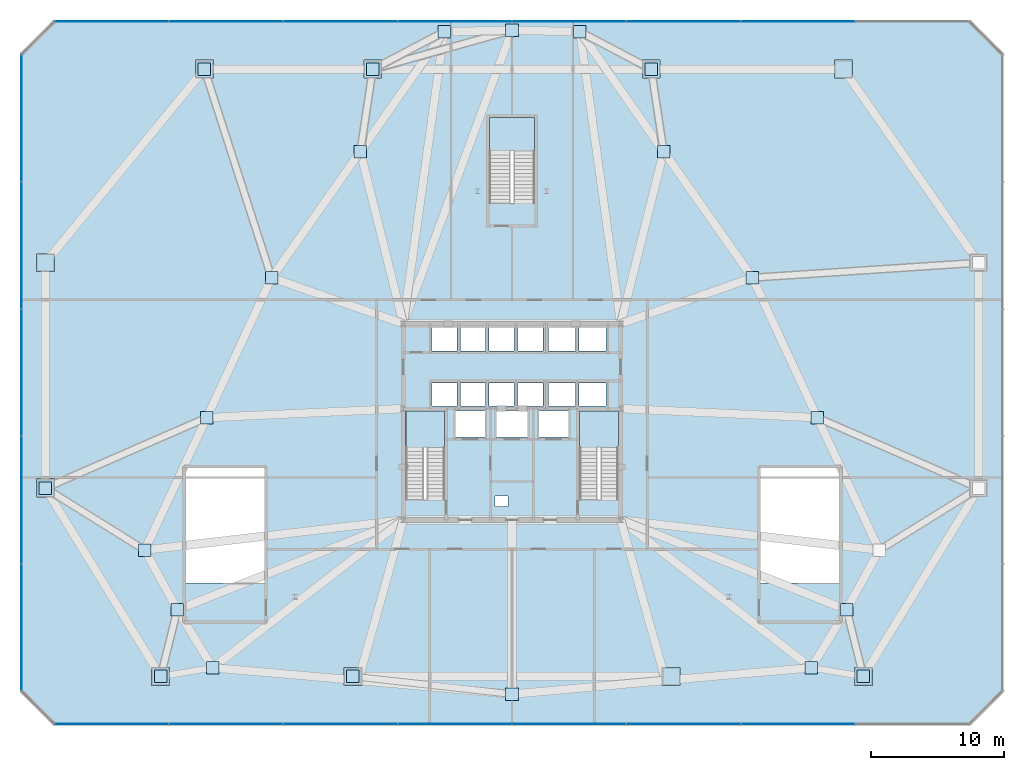
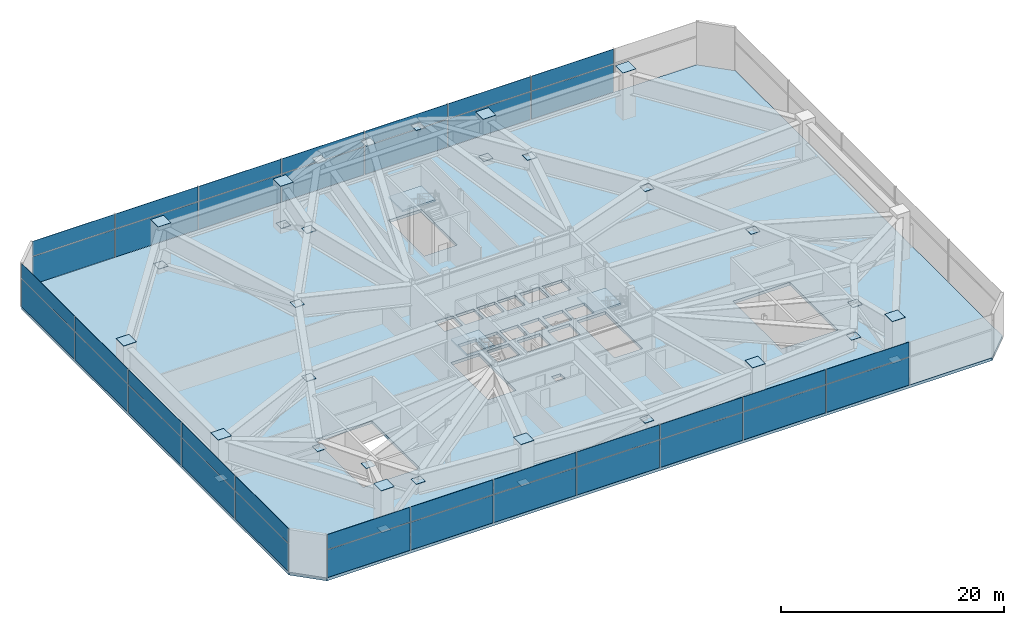
# One storey, part 20 of 29: 70 plates, 4 slabs, 6 elements without a shape of their own.
"""IFC4 building model written with IfcOpenShell, lengths in metres."""

from ifc_helpers import new_model, si_unit, direction, frame, origin, origin_2d, place, context, subcontext, project, spatial, polyline, rectangle, outline, extrude, source, transform, mapped, material, layer, layer_set, type_object, type_shapes, element, aggregate, save


model = new_model("IFC4")

# Units and contexts
model_context = context("Model", 3, precision=1e-05, world=origin(), true_north=direction((0.0, 1.0)))
body_context = subcontext(model_context, "Body", "Model", "MODEL_VIEW")
ifc_project = project(units=[si_unit("LENGTHUNIT", "METRE"), si_unit("AREAUNIT", "SQUARE_METRE"), si_unit("VOLUMEUNIT", "CUBIC_METRE"), si_unit("PLANEANGLEUNIT", "RADIAN"), si_unit("MASSUNIT", "GRAM", prefix="KILO")], contexts=[model_context])

# Site, building, storey
site_placement = place(None, origin())
site = spatial("IfcSite", under=ifc_project, at=site_placement, CompositionType="ELEMENT")
building_placement = place(site_placement, origin())
building = spatial("IfcBuilding", under=site, at=building_placement, Name="Varakhsha Concourse Tower", CompositionType="ELEMENT")
storey_placement = place(building_placement, frame((0.0, 0.0, 22.0)))
storey = spatial("IfcBuildingStorey", under=building, at=storey_placement, Name="L05", CompositionType="ELEMENT", Elevation=22.0)

# Slab
ifc_material_1 = material(Name="Concrete fc 45 MPa", Category="concrete")
ifc_layer_1 = layer(ifc_material_1, 0.320068359375, Name="SL-FLR-320")
ifc_layer_set_1 = layer_set([ifc_layer_1], Name="Concrete fc 45 MPa")
slab_type_1 = type_object("IfcSlabType", Name="SL-FLR-320", PredefinedType="FLOOR", material=ifc_layer_set_1)
slab_1_placement = place(storey_placement, frame((0.0, 0.0, -0.320068359375)))
element("IfcSlab", 1, at=slab_1_placement, inside=storey, type_object=slab_type_1, Name="L05 Composite Structural Slab", PredefinedType="FLOOR", context=body_context, shape_type="SweptSolid", body=[
    extrude(outline(polyline([(5.5, 1.0), (74.5, 1.0), (77.0, 3.5), (77.0, 51.5), (74.5, 54.0), (5.5, 54.0), (3.0, 51.5), (3.0, 3.5), (5.5, 1.0)]), holes=[polyline([(34.919921875, 17.93994140625), (34.919921875, 24.6298828125), (32.0, 24.6298828125), (32.0, 17.93994140625), (34.919921875, 17.93994140625)]), polyline([(48.02001953125, 17.93994140625), (48.02001953125, 24.6298828125), (45.10009765625, 24.6298828125), (45.10009765625, 17.93994140625), (48.02001953125, 17.93994140625)]), polyline([(21.320068359375, 11.659912109375), (21.320068359375, 20.300048828125), (15.39990234375, 20.300048828125), (15.39990234375, 11.659912109375), (21.320068359375, 11.659912109375)]), polyline([(64.679931640625, 11.659912109375), (64.679931640625, 20.300048828125), (58.760009765625, 20.300048828125), (58.760009765625, 11.659912109375), (64.679931640625, 11.659912109375)]), polyline([(41.699951171875, 40.300048828125), (41.699951171875, 46.75), (38.300048828125, 46.75), (38.300048828125, 40.300048828125), (41.699951171875, 40.300048828125)]), polyline([(33.9599609375, 29.159912109375), (35.840087890625, 29.159912109375), (35.840087890625, 30.89990234375), (33.9599609375, 30.89990234375), (33.9599609375, 29.159912109375)]), polyline([(36.1201171875, 29.159912109375), (38.0, 29.159912109375), (38.0, 30.89990234375), (36.1201171875, 30.89990234375), (36.1201171875, 29.159912109375)]), polyline([(38.280029296875, 29.159912109375), (40.159912109375, 29.159912109375), (40.159912109375, 30.89990234375), (38.280029296875, 30.89990234375), (38.280029296875, 29.159912109375)]), polyline([(40.43994140625, 29.159912109375), (42.320068359375, 29.159912109375), (42.320068359375, 30.89990234375), (40.43994140625, 30.89990234375), (40.43994140625, 29.159912109375)]), polyline([(33.9599609375, 25.0), (35.840087890625, 25.0), (35.840087890625, 26.739990234375), (33.9599609375, 26.739990234375), (33.9599609375, 25.0)]), polyline([(36.1201171875, 25.0), (38.0, 25.0), (38.0, 26.739990234375), (36.1201171875, 26.739990234375), (36.1201171875, 25.0)]), polyline([(38.280029296875, 25.0), (40.159912109375, 25.0), (40.159912109375, 26.739990234375), (38.280029296875, 26.739990234375), (38.280029296875, 25.0)]), polyline([(40.43994140625, 25.0), (42.320068359375, 25.0), (42.320068359375, 26.739990234375), (40.43994140625, 26.739990234375), (40.43994140625, 25.0)]), polyline([(42.739990234375, 29.159912109375), (44.780029296875, 29.159912109375), (44.780029296875, 30.89990234375), (42.739990234375, 30.89990234375), (42.739990234375, 29.159912109375)]), polyline([(45.06005859375, 29.159912109375), (47.10009765625, 29.159912109375), (47.10009765625, 30.89990234375), (45.06005859375, 30.89990234375), (45.06005859375, 29.159912109375)]), polyline([(42.739990234375, 25.0), (44.780029296875, 25.0), (44.780029296875, 26.739990234375), (42.739990234375, 26.739990234375), (42.739990234375, 25.0)]), polyline([(45.06005859375, 25.0), (47.10009765625, 25.0), (47.10009765625, 26.739990234375), (45.06005859375, 26.739990234375), (45.06005859375, 25.0)]), polyline([(35.7099609375, 22.639892578125), (37.989990234375, 22.639892578125), (37.989990234375, 24.60009765625), (35.7099609375, 24.60009765625), (35.7099609375, 22.639892578125)]), polyline([(42.010009765625, 22.639892578125), (44.2900390625, 22.639892578125), (44.2900390625, 24.60009765625), (42.010009765625, 24.60009765625), (42.010009765625, 22.639892578125)]), polyline([(38.81005859375, 22.639892578125), (41.18994140625, 22.639892578125), (41.18994140625, 24.60009765625), (38.81005859375, 24.60009765625), (38.81005859375, 22.639892578125)]), polyline([(38.719970703125, 17.39990234375), (39.679931640625, 17.39990234375), (39.679931640625, 18.199951171875), (38.719970703125, 18.199951171875), (38.719970703125, 17.39990234375)])]), origin(), (0.0, 0.0, 1.0), 0.320068359375),
])

# Stair, slab
stair_type_1 = type_object("IfcStairType", Name="ST-DOGLEG-1360", PredefinedType="HALF_TURN_STAIR", material=ifc_material_1)
stair_1_placement = place(storey_placement, origin())
stair_1 = element("IfcStair", 2, at=stair_1_placement, inside=storey, type_object=stair_type_1, Name="L05 Protected Exit Stair ST1", PredefinedType="HALF_TURN_STAIR")
ifc_layer_2 = layer(ifc_material_1, 0.199951171875, Name="SL-LAND-200")
ifc_layer_set_2 = layer_set([ifc_layer_2], Name="Concrete fc 45 MPa")
slab_type_2 = type_object("IfcSlabType", Name="SL-LAND-200", PredefinedType="LANDING", material=ifc_layer_set_2)
slab_2_placement = place(storey_placement, frame((0.0, 0.0, 2.39990234375)))
slab_2 = element("IfcSlab", 3, at=slab_2_placement, type_object=slab_type_2, Name="ST1 landing 1", PredefinedType="LANDING", context=body_context, shape_type="SweptSolid", body=[
    extrude(outline(polyline([(34.919921875, 21.860107421875), (34.919921875, 24.6298828125), (32.0, 24.6298828125), (32.0, 21.860107421875), (34.919921875, 21.860107421875)])), origin(), (0.0, 0.0, 1.0), 0.2001953125),
])
aggregate(stair_1, [slab_2])

stair_2_placement = place(storey_placement, origin())
stair_2 = element("IfcStair", 4, at=stair_2_placement, inside=storey, type_object=stair_type_1, Name="L05 Protected Exit Stair ST2", PredefinedType="HALF_TURN_STAIR")
slab_3_placement = place(storey_placement, frame((0.0, 0.0, 2.39990234375)))
slab_3 = element("IfcSlab", 5, at=slab_3_placement, type_object=slab_type_2, Name="ST2 landing 1", PredefinedType="LANDING", context=body_context, shape_type="SweptSolid", body=[
    extrude(outline(polyline([(48.02001953125, 21.860107421875), (48.02001953125, 24.6298828125), (45.10009765625, 24.6298828125), (45.10009765625, 21.860107421875), (48.02001953125, 21.860107421875)])), origin(), (0.0, 0.0, 1.0), 0.2001953125),
])
aggregate(stair_2, [slab_3])

stair_type_2 = type_object("IfcStairType", Name="ST-DOGLEG-1600", PredefinedType="HALF_TURN_STAIR", material=ifc_material_1)
stair_3_placement = place(storey_placement, origin())
stair_3 = element("IfcStair", 6, at=stair_3_placement, inside=storey, type_object=stair_type_2, Name="L05 Protected Exit Stair ST5", PredefinedType="HALF_TURN_STAIR")
slab_4_placement = place(storey_placement, frame((0.0, 0.0, 2.39990234375)))
slab_4 = element("IfcSlab", 7, at=slab_4_placement, type_object=slab_type_2, Name="ST5 landing 1", PredefinedType="LANDING", context=body_context, shape_type="SweptSolid", body=[
    extrude(outline(polyline([(41.699951171875, 44.219970703125), (41.699951171875, 46.75), (38.300048828125, 46.75), (38.300048828125, 44.219970703125), (41.699951171875, 44.219970703125)])), origin(), (0.0, 0.0, 1.0), 0.2001953125),
])
aggregate(stair_3, [slab_4])

# Plates
ifc_material_2 = material(Name="Structural Steel ASTM A572 Grade 50", Category="steel")
ifc_layer_3 = layer(ifc_material_2, 0.034912109375, Name="PL-ENDCAP-1350")
ifc_layer_set_3 = layer_set([ifc_layer_3], Name="Structural Steel ASTM A572 Grade 50")
plate_type_1 = type_object("IfcPlateType", Name="PL-ENDCAP-1350", PredefinedType="USERDEFINED", material=ifc_layer_set_3)
shared_shape_1 = source(origin(), body_context, "Body", "SweptSolid", [
    extrude(rectangle(XDim=1.35009765625, YDim=1.35009765625, at=origin_2d()), origin(), (0.0, 0.0, 1.0), 0.034912109375),
])
type_shapes(plate_type_1, [shared_shape_1])
for number, where, z_axis, x_axis, name in (
    (8, (13.5, 4.60009765625, 5.1826171875), (0.0, 0.0, 1.0), (1.0, 0.0, 0.0), "Hollow Section End Cap EP-PC-S1-TOP"),
    (9, (28.0, 4.60009765625, 5.1826171875), (0.0, 0.0, 1.0), (1.0, 0.0, 0.0), "Hollow Section End Cap EP-PC-S2-TOP"),
    (10, (52.0, 4.60009765625, 5.1826171875), (0.0, 0.0, 1.0), (1.0, 0.0, 0.0), "Hollow Section End Cap EP-PC-S3-TOP"),
    (11, (66.5, 4.60009765625, 5.1826171875), (0.0, 0.0, 1.0), (1.0, 0.0, 0.0), "Hollow Section End Cap EP-PC-S4-TOP"),
    (12, (4.800048828125, 18.800048828125, 5.1826171875), (0.0, 0.0, 1.0), (1.0, 0.0, 0.0), "Hollow Section End Cap EP-PC-W1-TOP"),
    (13, (4.800048828125, 35.800048828125, 5.1826171875), (0.0, 0.0, 1.0), (1.0, 0.0, 0.0), "Hollow Section End Cap EP-PC-W2-TOP"),
    (14, (16.800048828125, 50.39990234375, 5.1826171875), (0.0, 0.0, 1.0), (1.0, 0.0, 0.0), "Hollow Section End Cap EP-PC-N1-TOP"),
    (15, (29.5, 50.39990234375, 5.1826171875), (0.0, 0.0, 1.0), (1.0, 0.0, 0.0), "Hollow Section End Cap EP-PC-N2-TOP"),
    (16, (50.5, 50.39990234375, 5.1826171875), (0.0, 0.0, 1.0), (1.0, 0.0, 0.0), "Hollow Section End Cap EP-PC-N3-TOP"),
    (17, (65.0, 50.39990234375, 5.1826171875), (0.0, 0.0, 1.0), (1.0, 0.0, 0.0), "Hollow Section End Cap EP-PC-N4-TOP"),
):
    element("IfcPlate", number, at=place(storey_placement, frame(where, z_axis=z_axis, x_axis=x_axis)), inside=storey, type_object=plate_type_1, Name=name, ObjectType="END PLATE", PredefinedType="USERDEFINED", context=body_context, shape_type="MappedRepresentation", body=[
        mapped(shared_shape_1, transform((0.0, 0.0, 0.0), scale=1.0)),
    ])
ifc_layer_4 = layer(ifc_material_2, 0.030029296875, Name="PL-ENDCAP-950")
ifc_layer_set_4 = layer_set([ifc_layer_4], Name="Structural Steel ASTM A572 Grade 50")
plate_type_2 = type_object("IfcPlateType", Name="PL-ENDCAP-950", PredefinedType="USERDEFINED", material=ifc_layer_set_4)
shared_shape_2 = source(origin(), body_context, "Body", "SweptSolid", [
    extrude(rectangle(XDim=0.949951171875, YDim=0.949951171875, at=origin_2d()), origin(), (0.0, 0.0, 1.0), 0.030029296875),
])
type_shapes(plate_type_2, [shared_shape_2])
for number, where, z_axis, x_axis, name in (
    (18, (45.1240234375, 53.223388671875, 3.93994140625), (0.0, 0.0, 1.0), (1.0, 0.0, 0.0), "Hollow Section End Cap GP-L05-01"),
    (19, (40.0, 53.340087890625, 3.93994140625), (0.0, 0.0, 1.0), (1.0, 0.0, 0.0), "Hollow Section End Cap GP-L05-02"),
    (20, (34.8759765625, 53.223388671875, 3.93994140625), (0.0, 0.0, 1.0), (1.0, 0.0, 0.0), "Hollow Section End Cap GP-L05-03"),
    (21, (28.55859375, 44.183837890625, 3.93994140625), (0.0, 0.0, 1.0), (1.0, 0.0, 0.0), "Hollow Section End Cap GP-L05-04"),
    (22, (21.865478515625, 34.669921875, 3.93994140625), (0.0, 0.0, 1.0), (1.0, 0.0, 0.0), "Hollow Section End Cap GP-L05-05"),
    (23, (16.972900390625, 24.116455078125, 3.93994140625), (0.0, 0.0, 1.0), (1.0, 0.0, 0.0), "Hollow Section End Cap GP-L05-06"),
    (24, (12.302734375, 14.125732421875, 3.93994140625), (0.0, 0.0, 1.0), (1.0, 0.0, 0.0), "Hollow Section End Cap GP-L05-07"),
    (25, (14.763916015625, 9.6298828125, 3.93994140625), (0.0, 0.0, 1.0), (1.0, 0.0, 0.0), "Hollow Section End Cap GP-L05-08"),
    (26, (17.427001953125, 5.250732421875, 3.93994140625), (0.0, 0.0, 1.0), (1.0, 0.0, 0.0), "Hollow Section End Cap GP-L05-09"),
    (27, (40.0, 3.260009765625, 3.93994140625), (0.0, 0.0, 1.0), (1.0, 0.0, 0.0), "Hollow Section End Cap GP-L05-11"),
    (28, (62.572998046875, 5.250732421875, 3.93994140625), (0.0, 0.0, 1.0), (1.0, 0.0, 0.0), "Hollow Section End Cap GP-L05-13"),
    (29, (65.236083984375, 9.6298828125, 3.93994140625), (0.0, 0.0, 1.0), (1.0, 0.0, 0.0), "Hollow Section End Cap GP-L05-14"),
    (30, (63.027099609375, 24.116455078125, 3.93994140625), (0.0, 0.0, 1.0), (1.0, 0.0, 0.0), "Hollow Section End Cap GP-L05-16"),
    (31, (58.134521484375, 34.669921875, 3.93994140625), (0.0, 0.0, 1.0), (1.0, 0.0, 0.0), "Hollow Section End Cap GP-L05-17"),
    (32, (51.44140625, 44.183837890625, 3.93994140625), (0.0, 0.0, 1.0), (1.0, 0.0, 0.0), "Hollow Section End Cap GP-L05-18"),
    (33, (50.5, 50.39990234375, 0.384765625), (0.0, 0.0, 1.0), (1.0, 0.0, 0.0), "Hollow Section End Cap GP-NODE-L05-0001"),
    (34, (29.5, 50.39990234375, 0.384765625), (0.0, 0.0, 1.0), (1.0, 0.0, 0.0), "Hollow Section End Cap GP-NODE-L05-0002"),
    (35, (16.800048828125, 50.39990234375, 0.384765625), (0.0, 0.0, 1.0), (1.0, 0.0, 0.0), "Hollow Section End Cap GP-NODE-L05-0003"),
    (36, (4.800048828125, 18.800048828125, 0.384765625), (0.0, 0.0, 1.0), (1.0, 0.0, 0.0), "Hollow Section End Cap GP-NODE-L05-0004"),
    (37, (13.5, 4.60009765625, 0.384765625), (0.0, 0.0, 1.0), (1.0, 0.0, 0.0), "Hollow Section End Cap GP-NODE-L05-0005"),
    (38, (28.0, 4.60009765625, 0.384765625), (0.0, 0.0, 1.0), (1.0, 0.0, 0.0), "Hollow Section End Cap GP-NODE-L05-0006"),
    (39, (66.5, 4.60009765625, 0.384765625), (0.0, 0.0, 1.0), (1.0, 0.0, 0.0), "Hollow Section End Cap GP-NODE-L05-0007"),
):
    element("IfcPlate", number, at=place(storey_placement, frame(where, z_axis=z_axis, x_axis=x_axis)), inside=storey, type_object=plate_type_2, Name=name, ObjectType="END PLATE", PredefinedType="USERDEFINED", context=body_context, shape_type="MappedRepresentation", body=[
        mapped(shared_shape_2, transform((0.0, 0.0, 0.0), scale=1.0)),
    ])

# Curtain wall, plates
ifc_material_3 = material(Name="Anodised Bronze Architectural Aluminium AA 6063-T6", Category="aluminium")
ifc_layer_5 = layer(ifc_material_3, 0.260009765625, Name="CW-SYS-06")
ifc_layer_set_5 = layer_set([ifc_layer_5], Name="Anodised Bronze Architectural Aluminium AA 6063-T6")
curtain_wall_type = type_object("IfcCurtainWallType", Name="CW-SYS-06", PredefinedType="NOTDEFINED", material=ifc_layer_set_5)
curtain_wall_1_placement = place(storey_placement, origin())
curtain_wall_1 = element("IfcCurtainWall", 40, at=curtain_wall_1_placement, inside=storey, type_object=curtain_wall_type, Name="L05 Podium Curtain Wall 01", PredefinedType="NOTDEFINED")
ifc_material_4 = material(Name="Extruded Bronze Storm-Proof Acoustic Louvre", Category="aluminium")
ifc_layer_6 = layer(ifc_material_4, 0.050048828125, Name="CWP-LVR-50")
ifc_layer_set_6 = layer_set([ifc_layer_6], Name="Extruded Bronze Storm-Proof Acoustic Louvre")
plate_type_3 = type_object("IfcPlateType", Name="CWP-LVR-50", PredefinedType="USERDEFINED", material=ifc_layer_set_6)
shared_shape_3 = source(origin(), body_context, "Body", "SweptSolid", [
    extrude(rectangle(XDim=8.5458984375, YDim=0.050048828125, at=origin_2d()), origin(), (0.0, 0.0, 1.0), 3.031005859375),
])
plate_1_placement = place(storey_placement, frame((9.8125, 1.0, 0.03466796875), z_axis=(0.0, 0.0, 1.0), x_axis=(1.0, 0.0, 0.0)))
plate_1 = element("IfcPlate", 41, at=plate_1_placement, type_object=plate_type_3, Name="CW-POD-L05-01 Panel 00-00", ObjectType="LOUVRE", PredefinedType="USERDEFINED", context=body_context, shape_type="MappedRepresentation", body=[
    mapped(shared_shape_3, transform((0.0, 0.0, 0.0), scale=1.0)),
])
plate_2_placement = place(storey_placement, frame((18.4375, 1.0, 0.03466796875), z_axis=(0.0, 0.0, 1.0), x_axis=(1.0, 0.0, 0.0)))
plate_2 = element("IfcPlate", 42, at=plate_2_placement, type_object=plate_type_3, Name="CW-POD-L05-01 Panel 01-00", ObjectType="LOUVRE", PredefinedType="USERDEFINED", context=body_context, shape_type="MappedRepresentation", body=[
    mapped(shared_shape_3, transform((0.0, 0.0, 0.0), scale=1.0)),
])
plate_3_placement = place(storey_placement, frame((27.0625, 1.0, 0.03466796875), z_axis=(0.0, 0.0, 1.0), x_axis=(1.0, 0.0, 0.0)))
plate_3 = element("IfcPlate", 43, at=plate_3_placement, type_object=plate_type_3, Name="CW-POD-L05-01 Panel 02-00", ObjectType="LOUVRE", PredefinedType="USERDEFINED", context=body_context, shape_type="MappedRepresentation", body=[
    mapped(shared_shape_3, transform((0.0, 0.0, 0.0), scale=1.0)),
])
plate_4_placement = place(storey_placement, frame((35.6875, 1.0, 0.03466796875), z_axis=(0.0, 0.0, 1.0), x_axis=(1.0, 0.0, 0.0)))
plate_4 = element("IfcPlate", 44, at=plate_4_placement, type_object=plate_type_3, Name="CW-POD-L05-01 Panel 03-00", ObjectType="LOUVRE", PredefinedType="USERDEFINED", context=body_context, shape_type="MappedRepresentation", body=[
    mapped(shared_shape_3, transform((0.0, 0.0, 0.0), scale=1.0)),
])
plate_5_placement = place(storey_placement, frame((44.3125, 1.0, 0.03466796875), z_axis=(0.0, 0.0, 1.0), x_axis=(1.0, 0.0, 0.0)))
plate_5 = element("IfcPlate", 45, at=plate_5_placement, type_object=plate_type_3, Name="CW-POD-L05-01 Panel 04-00", ObjectType="LOUVRE", PredefinedType="USERDEFINED", context=body_context, shape_type="MappedRepresentation", body=[
    mapped(shared_shape_3, transform((0.0, 0.0, 0.0), scale=1.0)),
])
plate_6_placement = place(storey_placement, frame((52.9375, 1.0, 0.03466796875), z_axis=(0.0, 0.0, 1.0), x_axis=(1.0, 0.0, 0.0)))
plate_6 = element("IfcPlate", 46, at=plate_6_placement, type_object=plate_type_3, Name="CW-POD-L05-01 Panel 05-00", ObjectType="LOUVRE", PredefinedType="USERDEFINED", context=body_context, shape_type="MappedRepresentation", body=[
    mapped(shared_shape_3, transform((0.0, 0.0, 0.0), scale=1.0)),
])
plate_7_placement = place(storey_placement, frame((61.5625, 1.0, 0.03466796875), z_axis=(0.0, 0.0, 1.0), x_axis=(1.0, 0.0, 0.0)))
plate_7 = element("IfcPlate", 47, at=plate_7_placement, type_object=plate_type_3, Name="CW-POD-L05-01 Panel 06-00", ObjectType="LOUVRE", PredefinedType="USERDEFINED", context=body_context, shape_type="MappedRepresentation", body=[
    mapped(shared_shape_3, transform((0.0, 0.0, 0.0), scale=1.0)),
])

curtain_wall_2_placement = place(storey_placement, origin())
curtain_wall_2 = element("IfcCurtainWall", 48, at=curtain_wall_2_placement, inside=storey, type_object=curtain_wall_type, Name="L05 Podium Curtain Wall 05", PredefinedType="NOTDEFINED")
plate_8_placement = place(storey_placement, frame((61.5625, 54.0, 0.03466796875), z_axis=(0.0, 0.0, 1.0), x_axis=(-1.0, 0.0, 0.0)))
plate_8 = element("IfcPlate", 49, at=plate_8_placement, type_object=plate_type_3, Name="CW-POD-L05-05 Panel 01-00", ObjectType="LOUVRE", PredefinedType="USERDEFINED", context=body_context, shape_type="MappedRepresentation", body=[
    mapped(shared_shape_3, transform((0.0, 0.0, 0.0), scale=1.0)),
])
plate_9_placement = place(storey_placement, frame((52.9375, 54.0, 0.03466796875), z_axis=(0.0, 0.0, 1.0), x_axis=(-1.0, 0.0, 0.0)))
plate_9 = element("IfcPlate", 50, at=plate_9_placement, type_object=plate_type_3, Name="CW-POD-L05-05 Panel 02-00", ObjectType="LOUVRE", PredefinedType="USERDEFINED", context=body_context, shape_type="MappedRepresentation", body=[
    mapped(shared_shape_3, transform((0.0, 0.0, 0.0), scale=1.0)),
])
plate_10_placement = place(storey_placement, frame((44.3125, 54.0, 0.03466796875), z_axis=(0.0, 0.0, 1.0), x_axis=(-1.0, 0.0, 0.0)))
plate_10 = element("IfcPlate", 51, at=plate_10_placement, type_object=plate_type_3, Name="CW-POD-L05-05 Panel 03-00", ObjectType="LOUVRE", PredefinedType="USERDEFINED", context=body_context, shape_type="MappedRepresentation", body=[
    mapped(shared_shape_3, transform((0.0, 0.0, 0.0), scale=1.0)),
])
plate_11_placement = place(storey_placement, frame((35.6875, 54.0, 0.03466796875), z_axis=(0.0, 0.0, 1.0), x_axis=(-1.0, 0.0, 0.0)))
plate_11 = element("IfcPlate", 52, at=plate_11_placement, type_object=plate_type_3, Name="CW-POD-L05-05 Panel 04-00", ObjectType="LOUVRE", PredefinedType="USERDEFINED", context=body_context, shape_type="MappedRepresentation", body=[
    mapped(shared_shape_3, transform((0.0, 0.0, 0.0), scale=1.0)),
])
plate_12_placement = place(storey_placement, frame((27.0625, 54.0, 0.03466796875), z_axis=(0.0, 0.0, 1.0), x_axis=(-1.0, 0.0, 0.0)))
plate_12 = element("IfcPlate", 53, at=plate_12_placement, type_object=plate_type_3, Name="CW-POD-L05-05 Panel 05-00", ObjectType="LOUVRE", PredefinedType="USERDEFINED", context=body_context, shape_type="MappedRepresentation", body=[
    mapped(shared_shape_3, transform((0.0, 0.0, 0.0), scale=1.0)),
])
plate_13_placement = place(storey_placement, frame((18.4375, 54.0, 0.03466796875), z_axis=(0.0, 0.0, 1.0), x_axis=(-1.0, 0.0, 0.0)))
plate_13 = element("IfcPlate", 54, at=plate_13_placement, type_object=plate_type_3, Name="CW-POD-L05-05 Panel 06-00", ObjectType="LOUVRE", PredefinedType="USERDEFINED", context=body_context, shape_type="MappedRepresentation", body=[
    mapped(shared_shape_3, transform((0.0, 0.0, 0.0), scale=1.0)),
])
plate_14_placement = place(storey_placement, frame((9.8125, 54.0, 0.03466796875), z_axis=(0.0, 0.0, 1.0), x_axis=(-1.0, 0.0, 0.0)))
plate_14 = element("IfcPlate", 55, at=plate_14_placement, type_object=plate_type_3, Name="CW-POD-L05-05 Panel 07-00", ObjectType="LOUVRE", PredefinedType="USERDEFINED", context=body_context, shape_type="MappedRepresentation", body=[
    mapped(shared_shape_3, transform((0.0, 0.0, 0.0), scale=1.0)),
])

# Plate
ifc_material_5 = material(Name="Glazed Turquoise-Bronze Ceramic Spandrel Panel 38 mm", Category="ceramic")
ifc_layer_7 = layer(ifc_material_5, 0.0380859375, Name="CWP-SPN-38")
ifc_layer_set_7 = layer_set([ifc_layer_7], Name="Glazed Turquoise-Bronze Ceramic Spandrel Panel 38 mm")
plate_type_4 = type_object("IfcPlateType", Name="CWP-SPN-38", PredefinedType="USERDEFINED", material=ifc_layer_set_7)
shared_shape_4 = source(origin(), body_context, "Body", "SweptSolid", [
    extrude(rectangle(XDim=8.5458984375, YDim=0.0380859375, at=origin_2d()), origin(), (0.0, 0.0, 1.0), 1.611083984375),
])
plate_15_placement = place(storey_placement, frame((9.8125, 1.0, 3.13427734375), z_axis=(0.0, 0.0, 1.0), x_axis=(1.0, 0.0, 0.0)))
plate_15 = element("IfcPlate", 56, at=plate_15_placement, type_object=plate_type_4, Name="CW-POD-L05-01 Panel 00-01", ObjectType="SPANDREL", PredefinedType="USERDEFINED", context=body_context, shape_type="MappedRepresentation", body=[
    mapped(shared_shape_4, transform((0.0, 0.0, 0.0), scale=1.0)),
])

plate_16_placement = place(storey_placement, frame((18.4375, 1.0, 3.13427734375), z_axis=(0.0, 0.0, 1.0), x_axis=(1.0, 0.0, 0.0)))
plate_16 = element("IfcPlate", 57, at=plate_16_placement, type_object=plate_type_4, Name="CW-POD-L05-01 Panel 01-01", ObjectType="SPANDREL", PredefinedType="USERDEFINED", context=body_context, shape_type="MappedRepresentation", body=[
    mapped(shared_shape_4, transform((0.0, 0.0, 0.0), scale=1.0)),
])

plate_17_placement = place(storey_placement, frame((27.0625, 1.0, 3.13427734375), z_axis=(0.0, 0.0, 1.0), x_axis=(1.0, 0.0, 0.0)))
plate_17 = element("IfcPlate", 58, at=plate_17_placement, type_object=plate_type_4, Name="CW-POD-L05-01 Panel 02-01", ObjectType="SPANDREL", PredefinedType="USERDEFINED", context=body_context, shape_type="MappedRepresentation", body=[
    mapped(shared_shape_4, transform((0.0, 0.0, 0.0), scale=1.0)),
])

plate_18_placement = place(storey_placement, frame((35.6875, 1.0, 3.13427734375), z_axis=(0.0, 0.0, 1.0), x_axis=(1.0, 0.0, 0.0)))
plate_18 = element("IfcPlate", 59, at=plate_18_placement, type_object=plate_type_4, Name="CW-POD-L05-01 Panel 03-01", ObjectType="SPANDREL", PredefinedType="USERDEFINED", context=body_context, shape_type="MappedRepresentation", body=[
    mapped(shared_shape_4, transform((0.0, 0.0, 0.0), scale=1.0)),
])

plate_19_placement = place(storey_placement, frame((44.3125, 1.0, 3.13427734375), z_axis=(0.0, 0.0, 1.0), x_axis=(1.0, 0.0, 0.0)))
plate_19 = element("IfcPlate", 60, at=plate_19_placement, type_object=plate_type_4, Name="CW-POD-L05-01 Panel 04-01", ObjectType="SPANDREL", PredefinedType="USERDEFINED", context=body_context, shape_type="MappedRepresentation", body=[
    mapped(shared_shape_4, transform((0.0, 0.0, 0.0), scale=1.0)),
])

plate_20_placement = place(storey_placement, frame((52.9375, 1.0, 3.13427734375), z_axis=(0.0, 0.0, 1.0), x_axis=(1.0, 0.0, 0.0)))
plate_20 = element("IfcPlate", 61, at=plate_20_placement, type_object=plate_type_4, Name="CW-POD-L05-01 Panel 05-01", ObjectType="SPANDREL", PredefinedType="USERDEFINED", context=body_context, shape_type="MappedRepresentation", body=[
    mapped(shared_shape_4, transform((0.0, 0.0, 0.0), scale=1.0)),
])

plate_21_placement = place(storey_placement, frame((61.5625, 1.0, 3.13427734375), z_axis=(0.0, 0.0, 1.0), x_axis=(1.0, 0.0, 0.0)))
plate_21 = element("IfcPlate", 62, at=plate_21_placement, type_object=plate_type_4, Name="CW-POD-L05-01 Panel 06-01", ObjectType="SPANDREL", PredefinedType="USERDEFINED", context=body_context, shape_type="MappedRepresentation", body=[
    mapped(shared_shape_4, transform((0.0, 0.0, 0.0), scale=1.0)),
])

aggregate(curtain_wall_1, [plate_1, plate_15, plate_2, plate_16, plate_3, plate_17, plate_4, plate_18, plate_5, plate_19, plate_6, plate_20, plate_7, plate_21])

plate_22_placement = place(storey_placement, frame((61.5625, 54.0, 3.13427734375), z_axis=(0.0, 0.0, 1.0), x_axis=(-1.0, 0.0, 0.0)))
plate_22 = element("IfcPlate", 63, at=plate_22_placement, type_object=plate_type_4, Name="CW-POD-L05-05 Panel 01-01", ObjectType="SPANDREL", PredefinedType="USERDEFINED", context=body_context, shape_type="MappedRepresentation", body=[
    mapped(shared_shape_4, transform((0.0, 0.0, 0.0), scale=1.0)),
])

plate_23_placement = place(storey_placement, frame((52.9375, 54.0, 3.13427734375), z_axis=(0.0, 0.0, 1.0), x_axis=(-1.0, 0.0, 0.0)))
plate_23 = element("IfcPlate", 64, at=plate_23_placement, type_object=plate_type_4, Name="CW-POD-L05-05 Panel 02-01", ObjectType="SPANDREL", PredefinedType="USERDEFINED", context=body_context, shape_type="MappedRepresentation", body=[
    mapped(shared_shape_4, transform((0.0, 0.0, 0.0), scale=1.0)),
])

plate_24_placement = place(storey_placement, frame((44.3125, 54.0, 3.13427734375), z_axis=(0.0, 0.0, 1.0), x_axis=(-1.0, 0.0, 0.0)))
plate_24 = element("IfcPlate", 65, at=plate_24_placement, type_object=plate_type_4, Name="CW-POD-L05-05 Panel 03-01", ObjectType="SPANDREL", PredefinedType="USERDEFINED", context=body_context, shape_type="MappedRepresentation", body=[
    mapped(shared_shape_4, transform((0.0, 0.0, 0.0), scale=1.0)),
])

plate_25_placement = place(storey_placement, frame((35.6875, 54.0, 3.13427734375), z_axis=(0.0, 0.0, 1.0), x_axis=(-1.0, 0.0, 0.0)))
plate_25 = element("IfcPlate", 66, at=plate_25_placement, type_object=plate_type_4, Name="CW-POD-L05-05 Panel 04-01", ObjectType="SPANDREL", PredefinedType="USERDEFINED", context=body_context, shape_type="MappedRepresentation", body=[
    mapped(shared_shape_4, transform((0.0, 0.0, 0.0), scale=1.0)),
])

plate_26_placement = place(storey_placement, frame((27.0625, 54.0, 3.13427734375), z_axis=(0.0, 0.0, 1.0), x_axis=(-1.0, 0.0, 0.0)))
plate_26 = element("IfcPlate", 67, at=plate_26_placement, type_object=plate_type_4, Name="CW-POD-L05-05 Panel 05-01", ObjectType="SPANDREL", PredefinedType="USERDEFINED", context=body_context, shape_type="MappedRepresentation", body=[
    mapped(shared_shape_4, transform((0.0, 0.0, 0.0), scale=1.0)),
])

plate_27_placement = place(storey_placement, frame((18.4375, 54.0, 3.13427734375), z_axis=(0.0, 0.0, 1.0), x_axis=(-1.0, 0.0, 0.0)))
plate_27 = element("IfcPlate", 68, at=plate_27_placement, type_object=plate_type_4, Name="CW-POD-L05-05 Panel 06-01", ObjectType="SPANDREL", PredefinedType="USERDEFINED", context=body_context, shape_type="MappedRepresentation", body=[
    mapped(shared_shape_4, transform((0.0, 0.0, 0.0), scale=1.0)),
])

plate_28_placement = place(storey_placement, frame((9.8125, 54.0, 3.13427734375), z_axis=(0.0, 0.0, 1.0), x_axis=(-1.0, 0.0, 0.0)))
plate_28 = element("IfcPlate", 69, at=plate_28_placement, type_object=plate_type_4, Name="CW-POD-L05-05 Panel 07-01", ObjectType="SPANDREL", PredefinedType="USERDEFINED", context=body_context, shape_type="MappedRepresentation", body=[
    mapped(shared_shape_4, transform((0.0, 0.0, 0.0), scale=1.0)),
])

aggregate(curtain_wall_2, [plate_8, plate_22, plate_9, plate_23, plate_10, plate_24, plate_11, plate_25, plate_12, plate_26, plate_13, plate_27, plate_14, plate_28])

# Curtain wall, plates
curtain_wall_3_placement = place(storey_placement, origin())
curtain_wall_3 = element("IfcCurtainWall", 70, at=curtain_wall_3_placement, inside=storey, type_object=curtain_wall_type, Name="L05 Podium Curtain Wall 07", PredefinedType="NOTDEFINED")
shared_shape_5 = source(origin(), body_context, "Body", "SweptSolid", [
    extrude(rectangle(XDim=9.52099609375, YDim=0.050048828125, at=origin_2d()), origin(), (0.0, 0.0, 1.0), 3.031005859375),
])
type_shapes(plate_type_3, [shared_shape_3, shared_shape_5])
plate_29_placement = place(storey_placement, frame((3.0, 46.699951171875, 0.03466796875), z_axis=(0.0, 0.0, 1.0), x_axis=(0.0, -1.0, 0.0)))
plate_29 = element("IfcPlate", 71, at=plate_29_placement, type_object=plate_type_3, Name="CW-POD-L05-07 Panel 00-00", ObjectType="LOUVRE", PredefinedType="USERDEFINED", context=body_context, shape_type="MappedRepresentation", body=[
    mapped(shared_shape_5, transform((0.0, 0.0, 0.0), scale=1.0)),
])
plate_30_placement = place(storey_placement, frame((3.0, 37.10009765625, 0.03466796875), z_axis=(0.0, 0.0, 1.0), x_axis=(0.0, -1.0, 0.0)))
plate_30 = element("IfcPlate", 72, at=plate_30_placement, type_object=plate_type_3, Name="CW-POD-L05-07 Panel 01-00", ObjectType="LOUVRE", PredefinedType="USERDEFINED", context=body_context, shape_type="MappedRepresentation", body=[
    mapped(shared_shape_5, transform((0.0, 0.0, 0.0), scale=1.0)),
])
plate_31_placement = place(storey_placement, frame((3.0, 27.5, 0.03466796875), z_axis=(0.0, 0.0, 1.0), x_axis=(0.0, -1.0, 0.0)))
plate_31 = element("IfcPlate", 73, at=plate_31_placement, type_object=plate_type_3, Name="CW-POD-L05-07 Panel 02-00", ObjectType="LOUVRE", PredefinedType="USERDEFINED", context=body_context, shape_type="MappedRepresentation", body=[
    mapped(shared_shape_5, transform((0.0, 0.0, 0.0), scale=1.0)),
])
plate_32_placement = place(storey_placement, frame((3.0, 17.89990234375, 0.03466796875), z_axis=(0.0, 0.0, 1.0), x_axis=(0.0, -1.0, 0.0)))
plate_32 = element("IfcPlate", 74, at=plate_32_placement, type_object=plate_type_3, Name="CW-POD-L05-07 Panel 03-00", ObjectType="LOUVRE", PredefinedType="USERDEFINED", context=body_context, shape_type="MappedRepresentation", body=[
    mapped(shared_shape_5, transform((0.0, 0.0, 0.0), scale=1.0)),
])
plate_33_placement = place(storey_placement, frame((3.0, 8.300048828125, 0.03466796875), z_axis=(0.0, 0.0, 1.0), x_axis=(0.0, -1.0, 0.0)))
plate_33 = element("IfcPlate", 75, at=plate_33_placement, type_object=plate_type_3, Name="CW-POD-L05-07 Panel 04-00", ObjectType="LOUVRE", PredefinedType="USERDEFINED", context=body_context, shape_type="MappedRepresentation", body=[
    mapped(shared_shape_5, transform((0.0, 0.0, 0.0), scale=1.0)),
])
shared_shape_6 = source(origin(), body_context, "Body", "SweptSolid", [
    extrude(rectangle(XDim=9.52099609375, YDim=0.0380859375, at=origin_2d()), origin(), (0.0, 0.0, 1.0), 1.611083984375),
])
type_shapes(plate_type_4, [shared_shape_4, shared_shape_6])
plate_34_placement = place(storey_placement, frame((3.0, 46.699951171875, 3.13427734375), z_axis=(0.0, 0.0, 1.0), x_axis=(0.0, -1.0, 0.0)))
plate_34 = element("IfcPlate", 76, at=plate_34_placement, type_object=plate_type_4, Name="CW-POD-L05-07 Panel 00-01", ObjectType="SPANDREL", PredefinedType="USERDEFINED", context=body_context, shape_type="MappedRepresentation", body=[
    mapped(shared_shape_6, transform((0.0, 0.0, 0.0), scale=1.0)),
])
plate_35_placement = place(storey_placement, frame((3.0, 37.10009765625, 3.13427734375), z_axis=(0.0, 0.0, 1.0), x_axis=(0.0, -1.0, 0.0)))
plate_35 = element("IfcPlate", 77, at=plate_35_placement, type_object=plate_type_4, Name="CW-POD-L05-07 Panel 01-01", ObjectType="SPANDREL", PredefinedType="USERDEFINED", context=body_context, shape_type="MappedRepresentation", body=[
    mapped(shared_shape_6, transform((0.0, 0.0, 0.0), scale=1.0)),
])
plate_36_placement = place(storey_placement, frame((3.0, 27.5, 3.13427734375), z_axis=(0.0, 0.0, 1.0), x_axis=(0.0, -1.0, 0.0)))
plate_36 = element("IfcPlate", 78, at=plate_36_placement, type_object=plate_type_4, Name="CW-POD-L05-07 Panel 02-01", ObjectType="SPANDREL", PredefinedType="USERDEFINED", context=body_context, shape_type="MappedRepresentation", body=[
    mapped(shared_shape_6, transform((0.0, 0.0, 0.0), scale=1.0)),
])
plate_37_placement = place(storey_placement, frame((3.0, 17.89990234375, 3.13427734375), z_axis=(0.0, 0.0, 1.0), x_axis=(0.0, -1.0, 0.0)))
plate_37 = element("IfcPlate", 79, at=plate_37_placement, type_object=plate_type_4, Name="CW-POD-L05-07 Panel 03-01", ObjectType="SPANDREL", PredefinedType="USERDEFINED", context=body_context, shape_type="MappedRepresentation", body=[
    mapped(shared_shape_6, transform((0.0, 0.0, 0.0), scale=1.0)),
])
plate_38_placement = place(storey_placement, frame((3.0, 8.300048828125, 3.13427734375), z_axis=(0.0, 0.0, 1.0), x_axis=(0.0, -1.0, 0.0)))
plate_38 = element("IfcPlate", 80, at=plate_38_placement, type_object=plate_type_4, Name="CW-POD-L05-07 Panel 04-01", ObjectType="SPANDREL", PredefinedType="USERDEFINED", context=body_context, shape_type="MappedRepresentation", body=[
    mapped(shared_shape_6, transform((0.0, 0.0, 0.0), scale=1.0)),
])
aggregate(curtain_wall_3, [plate_29, plate_34, plate_30, plate_35, plate_31, plate_36, plate_32, plate_37, plate_33, plate_38])

save(model, "model.ifc")
